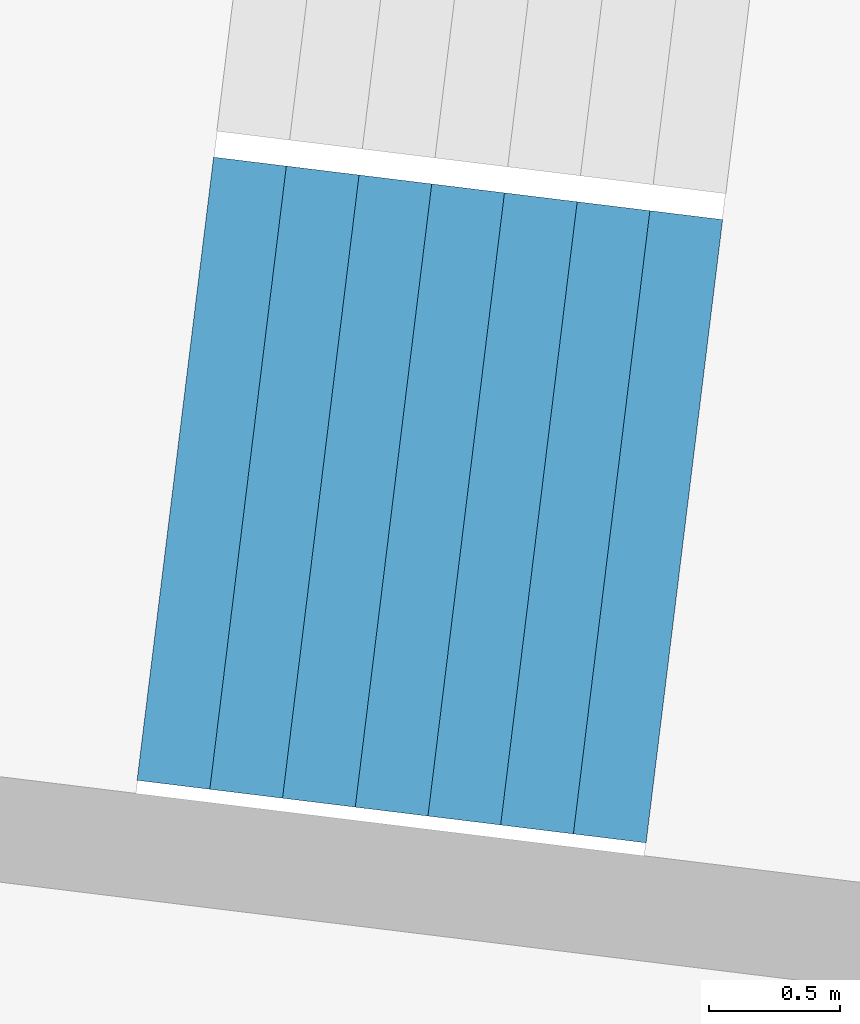
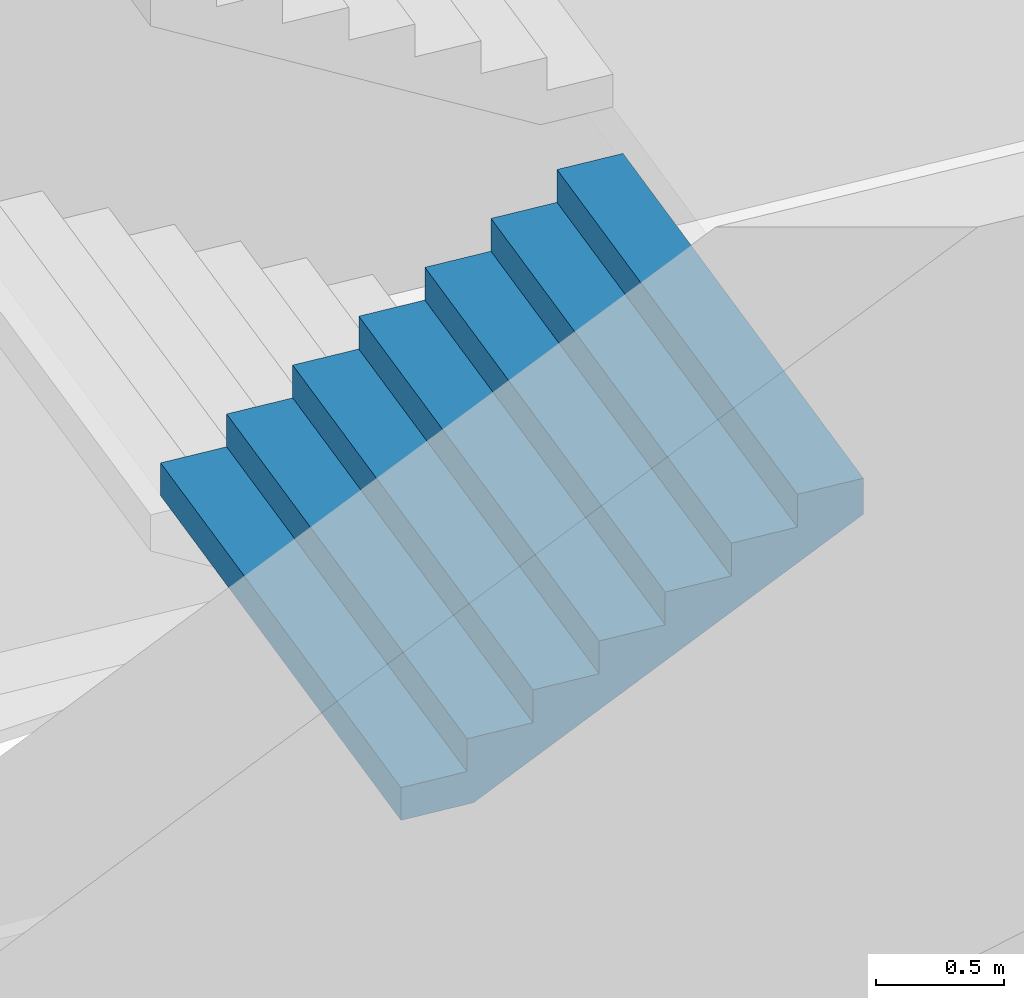
# One storey, part 54 of 73: 1 stair flight, 1 element without a shape of its own.
"""IFC4 building model written with IfcOpenShell, lengths in metres."""

from ifc_helpers import new_model, si_unit, direction, frame, origin, place, context, subcontext, project, spatial, triangles, material, type_object, element, aggregate, save


model = new_model("IFC4")

# Units and contexts
model_context = context("Model", 3, precision=1e-05, world=origin(), true_north=direction((0.0, 1.0)))
body_context = subcontext(model_context, "Body", "Model", "MODEL_VIEW")
ifc_project = project(units=[si_unit("LENGTHUNIT", "METRE"), si_unit("AREAUNIT", "SQUARE_METRE"), si_unit("VOLUMEUNIT", "CUBIC_METRE"), si_unit("PLANEANGLEUNIT", "RADIAN"), si_unit("MASSUNIT", "GRAM", prefix="KILO")], contexts=[model_context])

# Site, building, storey
site_placement = place(None, origin())
site = spatial("IfcSite", under=ifc_project, at=site_placement, CompositionType="ELEMENT")
building_placement = place(site_placement, origin())
building = spatial("IfcBuilding", under=site, at=building_placement, Name="Lantaw Convention Tower", CompositionType="ELEMENT")
storey_placement = place(building_placement, frame((0.0, 0.0, 22.0)))
storey = spatial("IfcBuildingStorey", under=building, at=storey_placement, Name="L03", CompositionType="ELEMENT", Elevation=22.0)

# Stair, stair flight
ifc_material = material(Name="Concrete C35/45", Category="concrete")
stair_type = type_object("IfcStairType", Name="Exit stair 2400 riser 156.25 in 4 flights", PredefinedType="HALF_TURN_STAIR", material=ifc_material)
stair_placement = place(storey_placement, origin())
stair = element("IfcStair", 1, at=stair_placement, inside=storey, type_object=stair_type, Name="Podium exit stair P13 L03", PredefinedType="HALF_TURN_STAIR")
stair_flight_type = type_object("IfcStairFlightType", Name="Stair flight 2400 riser 156.25", PredefinedType="STRAIGHT", material=ifc_material)
stair_flight_placement = place(storey_placement, frame((34.857421875, -5.539306640625, 2.5), z_axis=(0.0, 0.0, 1.0), x_axis=(0.992546151641, -0.121869343405, 0.0)))
stair_flight = element("IfcStairFlight", 2, at=stair_flight_placement, type_object=stair_flight_type, Name="P13 flight 3", NumberOfRisers=8, NumberOfTreads=7, PredefinedType="STRAIGHT", RiserHeight=0.15625, TreadLength=0.28, context=body_context, shape_type="Tessellation", body=[
    triangles([(0.0, 1.199951171875, 0.0), (0.0, 1.199951171875, 0.15625), (0.28, 1.199951171875, 0.0), (0.28, 1.199951171875, 0.15625), (0.28, 1.199951171875, 0.3125), (0.3076200632058044, 1.199951171875, 0.0), (0.3076200632058044, 1.199951171875, 0.3125), (0.56, 1.199951171875, 0.14083701830033238), (0.56, 1.199951171875, 0.3125), (0.56, 1.199951171875, 0.46875), (0.8400000000000001, 1.199951171875, 0.29708701830033235), (0.8400000000000001, 1.199951171875, 0.46875), (0.8400000000000001, 1.199951171875, 0.625), (1.12, 1.199951171875, 0.45333701830033235), (1.12, 1.199951171875, 0.625), (1.12, 1.199951171875, 0.78125), (1.4000000000000001, 1.199951171875, 0.6095870183003324), (1.4000000000000001, 1.199951171875, 0.78125), (1.4000000000000001, 1.199951171875, 0.9375), (1.6800000000000002, 1.199951171875, 0.7658370183003324), (1.6800000000000002, 1.199951171875, 0.9375), (1.6800000000000002, 1.199951171875, 1.09375), (1.9600000000000002, 1.199951171875, 0.9220870183003324), (1.9600000000000002, 1.199951171875, 1.09375), (0.0, -1.199951171875, 0.0), (0.0, -1.199951171875, 0.15625), (0.28, -1.199951171875, 0.0), (0.28, -1.199951171875, 0.15625), (0.28, -1.199951171875, 0.3125), (0.3076200632058044, -1.199951171875, 0.0), (0.3076200632058044, -1.199951171875, 0.3125), (0.56, -1.199951171875, 0.14083701830033238), (0.56, -1.199951171875, 0.3125), (0.56, -1.199951171875, 0.46875), (0.8400000000000001, -1.199951171875, 0.29708701830033235), (0.8400000000000001, -1.199951171875, 0.46875), (0.8400000000000001, -1.199951171875, 0.625), (1.12, -1.199951171875, 0.45333701830033235), (1.12, -1.199951171875, 0.625), (1.12, -1.199951171875, 0.78125), (1.4000000000000001, -1.199951171875, 0.6095870183003324), (1.4000000000000001, -1.199951171875, 0.78125), (1.4000000000000001, -1.199951171875, 0.9375), (1.6800000000000002, -1.199951171875, 0.7658370183003324), (1.6800000000000002, -1.199951171875, 0.9375), (1.6800000000000002, -1.199951171875, 1.09375), (1.9600000000000002, -1.199951171875, 0.9220870183003324), (1.9600000000000002, -1.199951171875, 1.09375), (0.0, 0.239990234375, 0.15625), (0.0, 0.239990234375, 0.0), (0.0, 0.1919921875, 0.15625), (0.0, 0.1919921875, 0.0), (0.0, 0.143994140625, 0.15625), (0.0, 0.143994140625, 0.0), (0.0, 0.09599609375, 0.15625), (0.0, 0.09599609375, 0.0), (0.0, 0.047998046875, 0.15625), (0.0, 0.047998046875, 0.0), (0.0, 0.0, 0.15625), (0.0, 0.0, 0.0), (0.0, -0.047998046875, 0.15625), (0.0, -0.047998046875, 0.0), (0.0, -0.09599609375, 0.15625), (0.0, -0.09599609375, 0.0), (0.0, -0.143994140625, 0.15625), (0.0, -0.143994140625, 0.0), (0.0, -0.1919921875, 0.15625), (0.0, -0.1919921875, 0.0), (0.0, -0.239990234375, 0.15625), (0.0, -0.239990234375, 0.0), (0.28, 0.239990234375, 0.3125), (0.28, 0.239990234375, 0.15625), (0.28, 0.1919921875, 0.3125), (0.28, 0.1919921875, 0.15625), (0.28, 0.143994140625, 0.3125), (0.28, 0.143994140625, 0.15625), (0.28, 0.09599609375, 0.3125), (0.28, 0.09599609375, 0.15625), (0.28, 0.047998046875, 0.3125), (0.28, 0.047998046875, 0.15625), (0.28, 0.0, 0.3125), (0.28, 0.0, 0.15625), (0.28, -0.047998046875, 0.3125), (0.28, -0.047998046875, 0.15625), (0.28, -0.09599609375, 0.3125), (0.28, -0.09599609375, 0.15625), (0.28, -0.143994140625, 0.3125), (0.28, -0.143994140625, 0.15625), (0.28, -0.1919921875, 0.3125), (0.28, -0.1919921875, 0.15625), (0.28, -0.239990234375, 0.3125), (0.28, -0.239990234375, 0.15625), (0.56, 0.239990234375, 0.46875), (0.56, 0.239990234375, 0.3125), (0.56, 0.1919921875, 0.46875), (0.56, 0.1919921875, 0.3125), (0.56, 0.143994140625, 0.46875), (0.56, 0.143994140625, 0.3125), (0.56, 0.09599609375, 0.46875), (0.56, 0.09599609375, 0.3125), (0.56, 0.047998046875, 0.46875), (0.56, 0.047998046875, 0.3125), (0.56, 0.0, 0.46875), (0.56, 0.0, 0.3125), (0.56, -0.047998046875, 0.46875), (0.56, -0.047998046875, 0.3125), (0.56, -0.09599609375, 0.46875), (0.56, -0.09599609375, 0.3125), (0.56, -0.143994140625, 0.46875), (0.56, -0.143994140625, 0.3125), (0.56, -0.1919921875, 0.46875), (0.56, -0.1919921875, 0.3125), (0.56, -0.239990234375, 0.46875), (0.56, -0.239990234375, 0.3125), (0.8400000000000001, 0.239990234375, 0.625), (0.8400000000000001, 0.239990234375, 0.46875), (0.8400000000000001, 0.1919921875, 0.625), (0.8400000000000001, 0.1919921875, 0.46875), (0.8400000000000001, 0.143994140625, 0.625), (0.8400000000000001, 0.143994140625, 0.46875), (0.8400000000000001, 0.09599609375, 0.625), (0.8400000000000001, 0.09599609375, 0.46875), (0.8400000000000001, 0.047998046875, 0.625), (0.8400000000000001, 0.047998046875, 0.46875), (0.8400000000000001, 0.0, 0.625), (0.8400000000000001, 0.0, 0.46875), (0.8400000000000001, -0.047998046875, 0.625), (0.8400000000000001, -0.047998046875, 0.46875), (0.8400000000000001, -0.09599609375, 0.625), (0.8400000000000001, -0.09599609375, 0.46875), (0.8400000000000001, -0.143994140625, 0.625), (0.8400000000000001, -0.143994140625, 0.46875), (0.8400000000000001, -0.1919921875, 0.625), (0.8400000000000001, -0.1919921875, 0.46875), (0.8400000000000001, -0.239990234375, 0.625), (0.8400000000000001, -0.239990234375, 0.46875), (1.12, 0.239990234375, 0.78125), (1.12, 0.239990234375, 0.625), (1.12, 0.1919921875, 0.78125), (1.12, 0.1919921875, 0.625), (1.12, 0.143994140625, 0.78125), (1.12, 0.143994140625, 0.625), (1.12, 0.09599609375, 0.78125), (1.12, 0.09599609375, 0.625), (1.12, 0.047998046875, 0.78125), (1.12, 0.047998046875, 0.625), (1.12, 0.0, 0.78125), (1.12, 0.0, 0.625), (1.12, -0.047998046875, 0.78125), (1.12, -0.047998046875, 0.625), (1.12, -0.09599609375, 0.78125), (1.12, -0.09599609375, 0.625), (1.12, -0.143994140625, 0.78125), (1.12, -0.143994140625, 0.625), (1.12, -0.1919921875, 0.78125), (1.12, -0.1919921875, 0.625), (1.12, -0.239990234375, 0.78125), (1.12, -0.239990234375, 0.625), (1.4000000000000001, 0.239990234375, 0.9375), (1.4000000000000001, 0.239990234375, 0.78125), (1.4000000000000001, 0.1919921875, 0.9375), (1.4000000000000001, 0.1919921875, 0.78125), (1.4000000000000001, 0.143994140625, 0.9375), (1.4000000000000001, 0.143994140625, 0.78125), (1.4000000000000001, 0.09599609375, 0.9375), (1.4000000000000001, 0.09599609375, 0.78125), (1.4000000000000001, 0.047998046875, 0.9375), (1.4000000000000001, 0.047998046875, 0.78125), (1.4000000000000001, 0.0, 0.9375), (1.4000000000000001, 0.0, 0.78125), (1.4000000000000001, -0.047998046875, 0.9375), (1.4000000000000001, -0.047998046875, 0.78125), (1.4000000000000001, -0.09599609375, 0.9375), (1.4000000000000001, -0.09599609375, 0.78125), (1.4000000000000001, -0.143994140625, 0.9375), (1.4000000000000001, -0.143994140625, 0.78125), (1.4000000000000001, -0.1919921875, 0.9375), (1.4000000000000001, -0.1919921875, 0.78125), (1.4000000000000001, -0.239990234375, 0.9375), (1.4000000000000001, -0.239990234375, 0.78125), (1.6800000000000002, 0.239990234375, 1.09375), (1.6800000000000002, 0.239990234375, 0.9375), (1.6800000000000002, 0.1919921875, 1.09375), (1.6800000000000002, 0.1919921875, 0.9375), (1.6800000000000002, 0.143994140625, 1.09375), (1.6800000000000002, 0.143994140625, 0.9375), (1.6800000000000002, 0.09599609375, 1.09375), (1.6800000000000002, 0.09599609375, 0.9375), (1.6800000000000002, 0.047998046875, 1.09375), (1.6800000000000002, 0.047998046875, 0.9375), (1.6800000000000002, 0.0, 1.09375), (1.6800000000000002, 0.0, 0.9375), (1.6800000000000002, -0.047998046875, 1.09375), (1.6800000000000002, -0.047998046875, 0.9375), (1.6800000000000002, -0.09599609375, 1.09375), (1.6800000000000002, -0.09599609375, 0.9375), (1.6800000000000002, -0.143994140625, 1.09375), (1.6800000000000002, -0.143994140625, 0.9375), (1.6800000000000002, -0.1919921875, 1.09375), (1.6800000000000002, -0.1919921875, 0.9375), (1.6800000000000002, -0.239990234375, 1.09375), (1.6800000000000002, -0.239990234375, 0.9375), (0.3076200632058044, 0.239990234375, 0.3125), (0.3076200632058044, 0.1919921875, 0.3125), (0.3076200632058044, 0.143994140625, 0.3125), (0.3076200632058044, 0.09599609375, 0.3125), (0.3076200632058044, 0.047998046875, 0.3125), (0.3076200632058044, 0.0, 0.3125), (0.3076200632058044, -0.047998046875, 0.3125), (0.3076200632058044, -0.09599609375, 0.3125), (0.3076200632058044, -0.143994140625, 0.3125), (0.3076200632058044, -0.1919921875, 0.3125), (0.3076200632058044, -0.239990234375, 0.3125), (1.9600000000000002, 0.239990234375, 1.09375), (1.9600000000000002, 0.1919921875, 1.09375), (1.9600000000000002, 0.143994140625, 1.09375), (1.9600000000000002, 0.09599609375, 1.09375), (1.9600000000000002, 0.047998046875, 1.09375), (1.9600000000000002, 0.0, 1.09375), (1.9600000000000002, -0.047998046875, 1.09375), (1.9600000000000002, -0.09599609375, 1.09375), (1.9600000000000002, -0.143994140625, 1.09375), (1.9600000000000002, -0.1919921875, 1.09375), (1.9600000000000002, -0.239990234375, 1.09375), (1.9600000000000002, 0.239990234375, 0.9220870183003324), (1.9600000000000002, 0.1919921875, 0.9220870183003324), (1.9600000000000002, 0.143994140625, 0.9220870183003324), (1.9600000000000002, 0.09599609375, 0.9220870183003324), (1.9600000000000002, 0.047998046875, 0.9220870183003324), (1.9600000000000002, 0.0, 0.9220870183003324), (1.9600000000000002, -0.047998046875, 0.9220870183003324), (1.9600000000000002, -0.09599609375, 0.9220870183003324), (1.9600000000000002, -0.143994140625, 0.9220870183003324), (1.9600000000000002, -0.1919921875, 0.9220870183003324), (1.9600000000000002, -0.239990234375, 0.9220870183003324), (1.6800000000000002, 0.239990234375, 0.7658370183003324), (1.6800000000000002, 0.1919921875, 0.7658370183003324), (1.6800000000000002, 0.143994140625, 0.7658370183003324), (1.6800000000000002, 0.09599609375, 0.7658370183003324), (1.6800000000000002, 0.047998046875, 0.7658370183003324), (1.6800000000000002, 0.0, 0.7658370183003324), (1.6800000000000002, -0.047998046875, 0.7658370183003324), (1.6800000000000002, -0.09599609375, 0.7658370183003324), (1.6800000000000002, -0.143994140625, 0.7658370183003324), (1.6800000000000002, -0.1919921875, 0.7658370183003324), (1.6800000000000002, -0.239990234375, 0.7658370183003324), (1.4000000000000001, 0.239990234375, 0.6095870183003324), (1.4000000000000001, 0.1919921875, 0.6095870183003324), (1.4000000000000001, 0.143994140625, 0.6095870183003324), (1.4000000000000001, 0.09599609375, 0.6095870183003324), (1.4000000000000001, 0.047998046875, 0.6095870183003324), (1.4000000000000001, 0.0, 0.6095870183003324), (1.4000000000000001, -0.047998046875, 0.6095870183003324), (1.4000000000000001, -0.09599609375, 0.6095870183003324), (1.4000000000000001, -0.143994140625, 0.6095870183003324), (1.4000000000000001, -0.1919921875, 0.6095870183003324), (1.4000000000000001, -0.239990234375, 0.6095870183003324), (1.12, 0.239990234375, 0.45333701830033235), (1.12, 0.1919921875, 0.45333701830033235), (1.12, 0.143994140625, 0.45333701830033235), (1.12, 0.09599609375, 0.45333701830033235), (1.12, 0.047998046875, 0.45333701830033235), (1.12, 0.0, 0.45333701830033235), (1.12, -0.047998046875, 0.45333701830033235), (1.12, -0.09599609375, 0.45333701830033235), (1.12, -0.143994140625, 0.45333701830033235), (1.12, -0.1919921875, 0.45333701830033235), (1.12, -0.239990234375, 0.45333701830033235), (0.8400000000000001, 0.239990234375, 0.29708701830033235), (0.8400000000000001, 0.1919921875, 0.29708701830033235), (0.8400000000000001, 0.143994140625, 0.29708701830033235), (0.8400000000000001, 0.09599609375, 0.29708701830033235), (0.8400000000000001, 0.047998046875, 0.29708701830033235), (0.8400000000000001, 0.0, 0.29708701830033235), (0.8400000000000001, -0.047998046875, 0.29708701830033235), (0.8400000000000001, -0.09599609375, 0.29708701830033235), (0.8400000000000001, -0.143994140625, 0.29708701830033235), (0.8400000000000001, -0.1919921875, 0.29708701830033235), (0.8400000000000001, -0.239990234375, 0.29708701830033235), (0.56, 0.239990234375, 0.14083701830033238), (0.56, 0.1919921875, 0.14083701830033238), (0.56, 0.143994140625, 0.14083701830033238), (0.56, 0.09599609375, 0.14083701830033238), (0.56, 0.047998046875, 0.14083701830033238), (0.56, 0.0, 0.14083701830033238), (0.56, -0.047998046875, 0.14083701830033238), (0.56, -0.09599609375, 0.14083701830033238), (0.56, -0.143994140625, 0.14083701830033238), (0.56, -0.1919921875, 0.14083701830033238), (0.56, -0.239990234375, 0.14083701830033238), (0.3076200632058044, 0.239990234375, 0.0), (0.3076200632058044, 0.1919921875, 0.0), (0.3076200632058044, 0.143994140625, 0.0), (0.3076200632058044, 0.09599609375, 0.0), (0.3076200632058044, 0.047998046875, 0.0), (0.3076200632058044, 0.0, 0.0), (0.3076200632058044, -0.047998046875, 0.0), (0.3076200632058044, -0.09599609375, 0.0), (0.3076200632058044, -0.143994140625, 0.0), (0.3076200632058044, -0.1919921875, 0.0), (0.3076200632058044, -0.239990234375, 0.0), (0.28, 0.239990234375, 0.0), (0.28, 0.1919921875, 0.0), (0.28, 0.143994140625, 0.0), (0.28, 0.09599609375, 0.0), (0.28, 0.047998046875, 0.0), (0.28, 0.0, 0.0), (0.28, -0.047998046875, 0.0), (0.28, -0.09599609375, 0.0), (0.28, -0.143994140625, 0.0), (0.28, -0.1919921875, 0.0), (0.28, -0.239990234375, 0.0)], [[1, 4, 3], [1, 2, 4], [3, 4, 6], [4, 7, 6], [4, 5, 7], [6, 9, 8], [6, 7, 9], [8, 9, 11], [9, 12, 11], [9, 10, 12], [11, 12, 14], [12, 15, 14], [12, 13, 15], [14, 15, 17], [15, 18, 17], [15, 16, 18], [17, 18, 20], [18, 21, 20], [18, 19, 21], [20, 21, 23], [21, 24, 23], [21, 22, 24], [25, 27, 28], [25, 28, 26], [27, 30, 28], [28, 30, 31], [28, 31, 29], [30, 32, 33], [30, 33, 31], [32, 35, 33], [33, 35, 36], [33, 36, 34], [35, 38, 36], [36, 38, 39], [36, 39, 37], [38, 41, 39], [39, 41, 42], [39, 42, 40], [41, 44, 42], [42, 44, 45], [42, 45, 43], [44, 47, 45], [45, 47, 48], [45, 48, 46], [1, 49, 2], [1, 50, 49], [50, 51, 49], [50, 52, 51], [52, 53, 51], [52, 54, 53], [54, 55, 53], [54, 56, 55], [56, 57, 55], [56, 58, 57], [58, 59, 57], [58, 60, 59], [60, 61, 59], [60, 62, 61], [62, 63, 61], [62, 64, 63], [64, 65, 63], [64, 66, 65], [66, 67, 65], [66, 68, 67], [68, 69, 67], [68, 70, 69], [70, 26, 69], [70, 25, 26], [4, 71, 5], [4, 72, 71], [72, 73, 71], [72, 74, 73], [74, 75, 73], [74, 76, 75], [76, 77, 75], [76, 78, 77], [78, 79, 77], [78, 80, 79], [80, 81, 79], [80, 82, 81], [82, 83, 81], [82, 84, 83], [84, 85, 83], [84, 86, 85], [86, 87, 85], [86, 88, 87], [88, 89, 87], [88, 90, 89], [90, 91, 89], [90, 92, 91], [92, 29, 91], [92, 28, 29], [9, 93, 10], [9, 94, 93], [94, 95, 93], [94, 96, 95], [96, 97, 95], [96, 98, 97], [98, 99, 97], [98, 100, 99], [100, 101, 99], [100, 102, 101], [102, 103, 101], [102, 104, 103], [104, 105, 103], [104, 106, 105], [106, 107, 105], [106, 108, 107], [108, 109, 107], [108, 110, 109], [110, 111, 109], [110, 112, 111], [112, 113, 111], [112, 114, 113], [114, 34, 113], [114, 33, 34], [12, 115, 13], [12, 116, 115], [116, 117, 115], [116, 118, 117], [118, 119, 117], [118, 120, 119], [120, 121, 119], [120, 122, 121], [122, 123, 121], [122, 124, 123], [124, 125, 123], [124, 126, 125], [126, 127, 125], [126, 128, 127], [128, 129, 127], [128, 130, 129], [130, 131, 129], [130, 132, 131], [132, 133, 131], [132, 134, 133], [134, 135, 133], [134, 136, 135], [136, 37, 135], [136, 36, 37], [15, 137, 16], [15, 138, 137], [138, 139, 137], [138, 140, 139], [140, 141, 139], [140, 142, 141], [142, 143, 141], [142, 144, 143], [144, 145, 143], [144, 146, 145], [146, 147, 145], [146, 148, 147], [148, 149, 147], [148, 150, 149], [150, 151, 149], [150, 152, 151], [152, 153, 151], [152, 154, 153], [154, 155, 153], [154, 156, 155], [156, 157, 155], [156, 158, 157], [158, 40, 157], [158, 39, 40], [18, 159, 19], [18, 160, 159], [160, 161, 159], [160, 162, 161], [162, 163, 161], [162, 164, 163], [164, 165, 163], [164, 166, 165], [166, 167, 165], [166, 168, 167], [168, 169, 167], [168, 170, 169], [170, 171, 169], [170, 172, 171], [172, 173, 171], [172, 174, 173], [174, 175, 173], [174, 176, 175], [176, 177, 175], [176, 178, 177], [178, 179, 177], [178, 180, 179], [180, 43, 179], [180, 42, 43], [21, 181, 22], [21, 182, 181], [182, 183, 181], [182, 184, 183], [184, 185, 183], [184, 186, 185], [186, 187, 185], [186, 188, 187], [188, 189, 187], [188, 190, 189], [190, 191, 189], [190, 192, 191], [192, 193, 191], [192, 194, 193], [194, 195, 193], [194, 196, 195], [196, 197, 195], [196, 198, 197], [198, 199, 197], [198, 200, 199], [200, 201, 199], [200, 202, 201], [202, 46, 201], [202, 45, 46], [2, 72, 4], [2, 49, 72], [49, 74, 72], [49, 51, 74], [51, 76, 74], [51, 53, 76], [53, 78, 76], [53, 55, 78], [55, 80, 78], [55, 57, 80], [57, 82, 80], [57, 59, 82], [59, 84, 82], [59, 61, 84], [61, 86, 84], [61, 63, 86], [63, 88, 86], [63, 65, 88], [65, 90, 88], [65, 67, 90], [67, 92, 90], [67, 69, 92], [69, 28, 92], [69, 26, 28], [5, 203, 7], [5, 71, 203], [71, 204, 203], [71, 73, 204], [73, 205, 204], [73, 75, 205], [75, 206, 205], [75, 77, 206], [77, 207, 206], [77, 79, 207], [79, 208, 207], [79, 81, 208], [81, 209, 208], [81, 83, 209], [83, 210, 209], [83, 85, 210], [85, 211, 210], [85, 87, 211], [87, 212, 211], [87, 89, 212], [89, 213, 212], [89, 91, 213], [91, 31, 213], [91, 29, 31], [7, 94, 9], [7, 203, 94], [203, 96, 94], [203, 204, 96], [204, 98, 96], [204, 205, 98], [205, 100, 98], [205, 206, 100], [206, 102, 100], [206, 207, 102], [207, 104, 102], [207, 208, 104], [208, 106, 104], [208, 209, 106], [209, 108, 106], [209, 210, 108], [210, 110, 108], [210, 211, 110], [211, 112, 110], [211, 212, 112], [212, 114, 112], [212, 213, 114], [213, 33, 114], [213, 31, 33], [10, 116, 12], [10, 93, 116], [93, 118, 116], [93, 95, 118], [95, 120, 118], [95, 97, 120], [97, 122, 120], [97, 99, 122], [99, 124, 122], [99, 101, 124], [101, 126, 124], [101, 103, 126], [103, 128, 126], [103, 105, 128], [105, 130, 128], [105, 107, 130], [107, 132, 130], [107, 109, 132], [109, 134, 132], [109, 111, 134], [111, 136, 134], [111, 113, 136], [113, 36, 136], [113, 34, 36], [13, 138, 15], [13, 115, 138], [115, 140, 138], [115, 117, 140], [117, 142, 140], [117, 119, 142], [119, 144, 142], [119, 121, 144], [121, 146, 144], [121, 123, 146], [123, 148, 146], [123, 125, 148], [125, 150, 148], [125, 127, 150], [127, 152, 150], [127, 129, 152], [129, 154, 152], [129, 131, 154], [131, 156, 154], [131, 133, 156], [133, 158, 156], [133, 135, 158], [135, 39, 158], [135, 37, 39], [16, 160, 18], [16, 137, 160], [137, 162, 160], [137, 139, 162], [139, 164, 162], [139, 141, 164], [141, 166, 164], [141, 143, 166], [143, 168, 166], [143, 145, 168], [145, 170, 168], [145, 147, 170], [147, 172, 170], [147, 149, 172], [149, 174, 172], [149, 151, 174], [151, 176, 174], [151, 153, 176], [153, 178, 176], [153, 155, 178], [155, 180, 178], [155, 157, 180], [157, 42, 180], [157, 40, 42], [19, 182, 21], [19, 159, 182], [159, 184, 182], [159, 161, 184], [161, 186, 184], [161, 163, 186], [163, 188, 186], [163, 165, 188], [165, 190, 188], [165, 167, 190], [167, 192, 190], [167, 169, 192], [169, 194, 192], [169, 171, 194], [171, 196, 194], [171, 173, 196], [173, 198, 196], [173, 175, 198], [175, 200, 198], [175, 177, 200], [177, 202, 200], [177, 179, 202], [179, 45, 202], [179, 43, 45], [22, 214, 24], [22, 181, 214], [181, 215, 214], [181, 183, 215], [183, 216, 215], [183, 185, 216], [185, 217, 216], [185, 187, 217], [187, 218, 217], [187, 189, 218], [189, 219, 218], [189, 191, 219], [191, 220, 219], [191, 193, 220], [193, 221, 220], [193, 195, 221], [195, 222, 221], [195, 197, 222], [197, 223, 222], [197, 199, 223], [199, 224, 223], [199, 201, 224], [201, 48, 224], [201, 46, 48], [24, 225, 23], [24, 214, 225], [214, 226, 225], [214, 215, 226], [215, 227, 226], [215, 216, 227], [216, 228, 227], [216, 217, 228], [217, 229, 228], [217, 218, 229], [218, 230, 229], [218, 219, 230], [219, 231, 230], [219, 220, 231], [220, 232, 231], [220, 221, 232], [221, 233, 232], [221, 222, 233], [222, 234, 233], [222, 223, 234], [223, 235, 234], [223, 224, 235], [224, 47, 235], [224, 48, 47], [23, 236, 20], [23, 225, 236], [225, 237, 236], [225, 226, 237], [226, 238, 237], [226, 227, 238], [227, 239, 238], [227, 228, 239], [228, 240, 239], [228, 229, 240], [229, 241, 240], [229, 230, 241], [230, 242, 241], [230, 231, 242], [231, 243, 242], [231, 232, 243], [232, 244, 243], [232, 233, 244], [233, 245, 244], [233, 234, 245], [234, 246, 245], [234, 235, 246], [235, 44, 246], [235, 47, 44], [20, 247, 17], [20, 236, 247], [236, 248, 247], [236, 237, 248], [237, 249, 248], [237, 238, 249], [238, 250, 249], [238, 239, 250], [239, 251, 250], [239, 240, 251], [240, 252, 251], [240, 241, 252], [241, 253, 252], [241, 242, 253], [242, 254, 253], [242, 243, 254], [243, 255, 254], [243, 244, 255], [244, 256, 255], [244, 245, 256], [245, 257, 256], [245, 246, 257], [246, 41, 257], [246, 44, 41], [17, 258, 14], [17, 247, 258], [247, 259, 258], [247, 248, 259], [248, 260, 259], [248, 249, 260], [249, 261, 260], [249, 250, 261], [250, 262, 261], [250, 251, 262], [251, 263, 262], [251, 252, 263], [252, 264, 263], [252, 253, 264], [253, 265, 264], [253, 254, 265], [254, 266, 265], [254, 255, 266], [255, 267, 266], [255, 256, 267], [256, 268, 267], [256, 257, 268], [257, 38, 268], [257, 41, 38], [14, 269, 11], [14, 258, 269], [258, 270, 269], [258, 259, 270], [259, 271, 270], [259, 260, 271], [260, 272, 271], [260, 261, 272], [261, 273, 272], [261, 262, 273], [262, 274, 273], [262, 263, 274], [263, 275, 274], [263, 264, 275], [264, 276, 275], [264, 265, 276], [265, 277, 276], [265, 266, 277], [266, 278, 277], [266, 267, 278], [267, 279, 278], [267, 268, 279], [268, 35, 279], [268, 38, 35], [11, 280, 8], [11, 269, 280], [269, 281, 280], [269, 270, 281], [270, 282, 281], [270, 271, 282], [271, 283, 282], [271, 272, 283], [272, 284, 283], [272, 273, 284], [273, 285, 284], [273, 274, 285], [274, 286, 285], [274, 275, 286], [275, 287, 286], [275, 276, 287], [276, 288, 287], [276, 277, 288], [277, 289, 288], [277, 278, 289], [278, 290, 289], [278, 279, 290], [279, 32, 290], [279, 35, 32], [8, 291, 6], [8, 280, 291], [280, 292, 291], [280, 281, 292], [281, 293, 292], [281, 282, 293], [282, 294, 293], [282, 283, 294], [283, 295, 294], [283, 284, 295], [284, 296, 295], [284, 285, 296], [285, 297, 296], [285, 286, 297], [286, 298, 297], [286, 287, 298], [287, 299, 298], [287, 288, 299], [288, 300, 299], [288, 289, 300], [289, 301, 300], [289, 290, 301], [290, 30, 301], [290, 32, 30], [6, 302, 3], [6, 291, 302], [291, 303, 302], [291, 292, 303], [292, 304, 303], [292, 293, 304], [293, 305, 304], [293, 294, 305], [294, 306, 305], [294, 295, 306], [295, 307, 306], [295, 296, 307], [296, 308, 307], [296, 297, 308], [297, 309, 308], [297, 298, 309], [298, 310, 309], [298, 299, 310], [299, 311, 310], [299, 300, 311], [300, 312, 311], [300, 301, 312], [301, 27, 312], [301, 30, 27], [3, 50, 1], [3, 302, 50], [302, 52, 50], [302, 303, 52], [303, 54, 52], [303, 304, 54], [304, 56, 54], [304, 305, 56], [305, 58, 56], [305, 306, 58], [306, 60, 58], [306, 307, 60], [307, 62, 60], [307, 308, 62], [308, 64, 62], [308, 309, 64], [309, 66, 64], [309, 310, 66], [310, 68, 66], [310, 311, 68], [311, 70, 68], [311, 312, 70], [312, 25, 70], [312, 27, 25]], closed=True),
])
aggregate(stair, [stair_flight])

save(model, "model.ifc")
